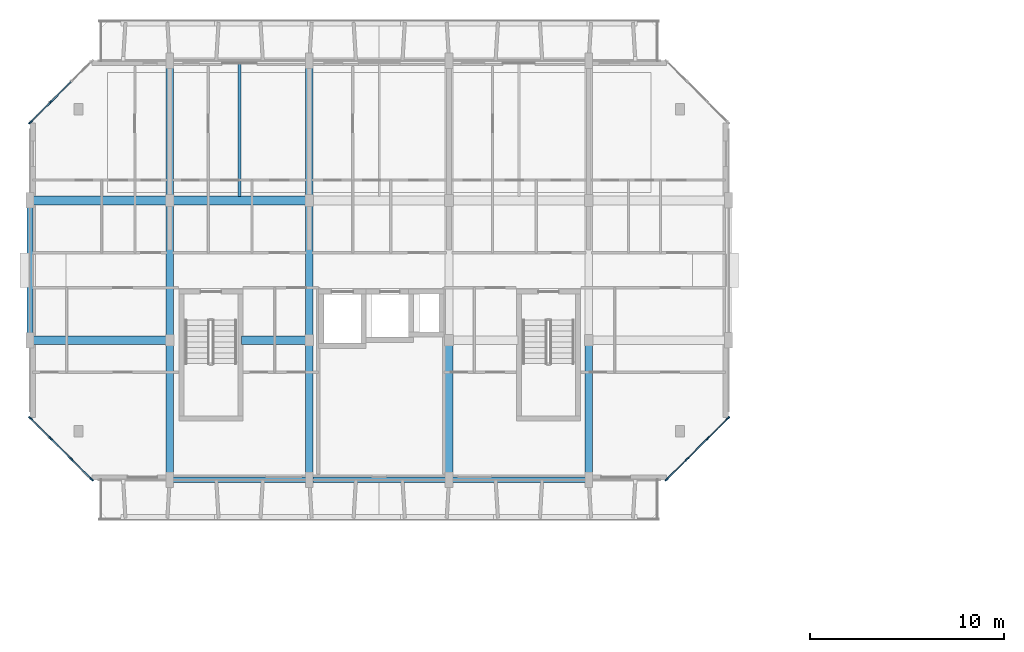
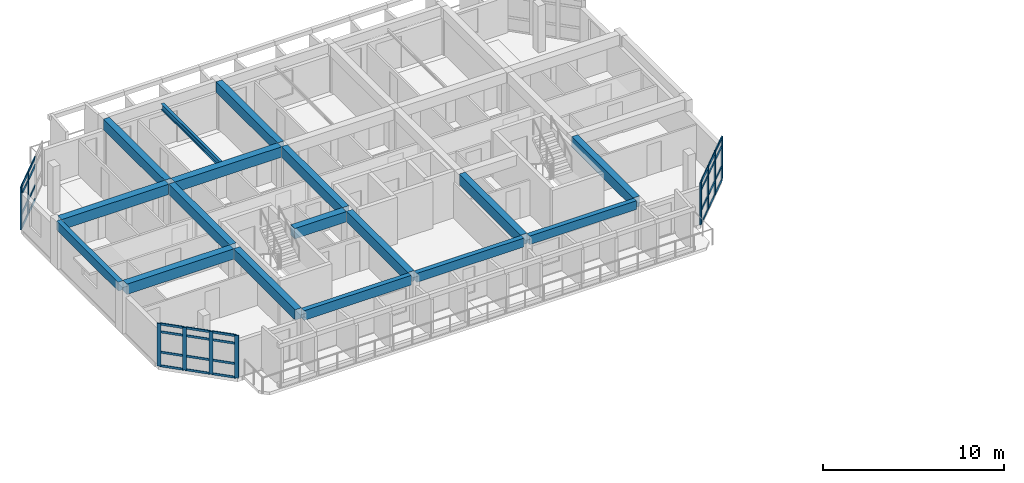
# One storey, part 5 of 44: 42 members, 17 beams, 3 elements without a shape of their own.
"""IFC4 building model written with IfcOpenShell, lengths in metres."""

from ifc_helpers import new_model, si_unit, direction, frame, origin, origin_2d, place, context, subcontext, project, spatial, rectangle, i_section, extrude, material, layer, layer_set, material_profile, profile_set, type_object, element, aggregate, save


model = new_model("IFC4")

# Units and contexts
model_context = context("Model", 3, precision=1e-05, world=origin(), true_north=direction((0.0, 1.0)))
body_context = subcontext(model_context, "Body", "Model", "MODEL_VIEW")
ifc_project = project(units=[si_unit("LENGTHUNIT", "METRE"), si_unit("AREAUNIT", "SQUARE_METRE"), si_unit("VOLUMEUNIT", "CUBIC_METRE"), si_unit("PLANEANGLEUNIT", "RADIAN"), si_unit("MASSUNIT", "GRAM", prefix="KILO")], contexts=[model_context])

# Site, building, storey
site_placement = place(None, origin())
site = spatial("IfcSite", under=ifc_project, at=site_placement, CompositionType="ELEMENT")
building_placement = place(site_placement, origin())
building = spatial("IfcBuilding", under=site, at=building_placement, Name="Ochrevale Crest", CompositionType="ELEMENT")
storey_placement = place(building_placement, frame((0.0, 0.0, 21.300048828125)))
storey = spatial("IfcBuildingStorey", under=building, at=storey_placement, Name="L06", CompositionType="ELEMENT", Elevation=21.300048828125)

# Beams
ifc_material_1 = material(Name="Precast concrete C50/60", Category="concrete")
ifc_material_profile_1 = material_profile(ifc_material_1, rectangle(XDim=0.39990234375, YDim=0.699951171875, at=origin_2d()), Name="PC 400x700")
ifc_profile_set_1 = profile_set([ifc_material_profile_1], Name="Precast concrete C50/60")
beam_type_1 = type_object("IfcBeamType", Name="BM-PC400x700", PredefinedType="BEAM", material=ifc_profile_set_1)
beam_1_placement = place(storey_placement, frame((7.199951171875, 72.179931640625, 2.800048828125), z_axis=(0.0, 1.0, 0.0), x_axis=(-1.0, 0.0, 0.0)))
element("IfcBeam", 1, at=beam_1_placement, inside=storey, type_object=beam_type_1, Name="Block B L06 N-S beam X=7.2", PredefinedType="BEAM", context=body_context, shape_type="SweptSolid", body=[
    extrude(rectangle(XDim=0.39990234375, YDim=0.699951171875, at=origin_2d()), origin(), (0.0, 0.0, 1.0), 6.815185546875),
])
beam_2_placement = place(storey_placement, frame((7.199951171875, 79.405029296875, 2.800048828125), z_axis=(0.0, 1.0, 0.0), x_axis=(-1.0, 0.0, 0.0)))
element("IfcBeam", 2, at=beam_2_placement, inside=storey, type_object=beam_type_1, Name="Block B L06 N-S beam X=7.2", PredefinedType="BEAM", context=body_context, shape_type="SweptSolid", body=[
    extrude(rectangle(XDim=0.39990234375, YDim=0.699951171875, at=origin_2d()), origin(), (0.0, 0.0, 1.0), 6.7900390625),
])
beam_3_placement = place(storey_placement, frame((7.199951171875, 86.60498046875, 2.800048828125), z_axis=(0.0, 1.0, 0.0), x_axis=(-1.0, 0.0, 0.0)))
element("IfcBeam", 3, at=beam_3_placement, inside=storey, type_object=beam_type_1, Name="Block B L06 N-S beam X=7.2", PredefinedType="BEAM", context=body_context, shape_type="SweptSolid", body=[
    extrude(rectangle(XDim=0.39990234375, YDim=0.699951171875, at=origin_2d()), origin(), (0.0, 0.0, 1.0), 6.81494140625),
])
beam_4_placement = place(storey_placement, frame((14.39990234375, 72.179931640625, 2.800048828125), z_axis=(0.0, 1.0, 0.0), x_axis=(-1.0, 0.0, 0.0)))
element("IfcBeam", 4, at=beam_4_placement, inside=storey, type_object=beam_type_1, Name="Block B L06 N-S beam X=14.4", PredefinedType="BEAM", context=body_context, shape_type="SweptSolid", body=[
    extrude(rectangle(XDim=0.39990234375, YDim=0.699951171875, at=origin_2d()), origin(), (0.0, 0.0, 1.0), 6.815185546875),
])
beam_5_placement = place(storey_placement, frame((14.39990234375, 79.405029296875, 2.800048828125), z_axis=(0.0, 1.0, 0.0), x_axis=(-1.0, 0.0, 0.0)))
element("IfcBeam", 5, at=beam_5_placement, inside=storey, type_object=beam_type_1, Name="Block B L06 N-S beam X=14.4", PredefinedType="BEAM", context=body_context, shape_type="SweptSolid", body=[
    extrude(rectangle(XDim=0.39990234375, YDim=0.699951171875, at=origin_2d()), origin(), (0.0, 0.0, 1.0), 6.7900390625),
])
beam_6_placement = place(storey_placement, frame((14.39990234375, 86.60498046875, 2.800048828125), z_axis=(0.0, 1.0, 0.0), x_axis=(-1.0, 0.0, 0.0)))
element("IfcBeam", 6, at=beam_6_placement, inside=storey, type_object=beam_type_1, Name="Block B L06 N-S beam X=14.4", PredefinedType="BEAM", context=body_context, shape_type="SweptSolid", body=[
    extrude(rectangle(XDim=0.39990234375, YDim=0.699951171875, at=origin_2d()), origin(), (0.0, 0.0, 1.0), 6.81494140625),
])
for number, where, z_axis, x_axis, name in (
    (7, (21.60009765625, 72.179931640625, 2.800048828125), (0.0, 1.0, 0.0), (-1.0, 0.0, 0.0), "Block B L06 N-S beam X=21.6"),
    (8, (28.800048828125, 72.179931640625, 2.800048828125), (0.0, 1.0, 0.0), (-1.0, 0.0, 0.0), "Block B L06 N-S beam X=28.8"),
):
    element("IfcBeam", number, at=place(storey_placement, frame(where, z_axis=z_axis, x_axis=x_axis)), inside=storey, type_object=beam_type_1, Name=name, PredefinedType="BEAM", context=body_context, shape_type="SweptSolid", body=[
        extrude(rectangle(XDim=0.39990234375, YDim=0.699951171875, at=origin_2d()), origin(), (0.0, 0.0, 1.0), 6.815185546875),
    ])
ifc_material_2 = material(Name="Concrete C50/60", Category="concrete")
ifc_material_profile_2 = material_profile(ifc_material_2, rectangle(XDim=0.449951171875, YDim=0.699951171875, at=origin_2d()), Name="RC 450x700")
ifc_profile_set_2 = profile_set([ifc_material_profile_2], Name="Concrete C50/60")
beam_type_2 = type_object("IfcBeamType", Name="BM-PG450x700", PredefinedType="USERDEFINED", material=ifc_profile_set_2)
beam_7_placement = place(storey_placement, frame((0.175048828125, 79.199951171875, 2.800048828125), z_axis=(1.0, 0.0, 0.0), x_axis=(0.0, 1.0, 0.0)))
element("IfcBeam", 9, at=beam_7_placement, inside=storey, type_object=beam_type_2, Name="Block B L06 E-W beam Y=79.2", ObjectType="GIRDER", PredefinedType="USERDEFINED", context=body_context, shape_type="SweptSolid", body=[
    extrude(rectangle(XDim=0.449951171875, YDim=0.699951171875, at=origin_2d()), origin(), (0.0, 0.0, 1.0), 6.824951171875),
])
beam_8_placement = place(storey_placement, frame((10.889892578125, 79.199951171875, 2.800048828125), z_axis=(1.0, 0.0, 0.0), x_axis=(0.0, 1.0, 0.0)))
element("IfcBeam", 10, at=beam_8_placement, inside=storey, type_object=beam_type_2, Name="Block B L06 E-W beam Y=79.2", ObjectType="GIRDER", PredefinedType="USERDEFINED", context=body_context, shape_type="SweptSolid", body=[
    extrude(rectangle(XDim=0.449951171875, YDim=0.699951171875, at=origin_2d()), origin(), (0.0, 0.0, 1.0), 3.31005859375),
])
beam_9_placement = place(storey_placement, frame((0.175048828125, 86.39990234375, 2.800048828125), z_axis=(1.0, 0.0, 0.0), x_axis=(0.0, 1.0, 0.0)))
element("IfcBeam", 11, at=beam_9_placement, inside=storey, type_object=beam_type_2, Name="Block B L06 E-W beam Y=86.4", ObjectType="GIRDER", PredefinedType="USERDEFINED", context=body_context, shape_type="SweptSolid", body=[
    extrude(rectangle(XDim=0.449951171875, YDim=0.699951171875, at=origin_2d()), origin(), (0.0, 0.0, 1.0), 6.824951171875),
])
beam_10_placement = place(storey_placement, frame((7.39990234375, 86.39990234375, 2.800048828125), z_axis=(1.0, 0.0, 0.0), x_axis=(0.0, 1.0, 0.0)))
element("IfcBeam", 12, at=beam_10_placement, inside=storey, type_object=beam_type_2, Name="Block B L06 E-W beam Y=86.4", ObjectType="GIRDER", PredefinedType="USERDEFINED", context=body_context, shape_type="SweptSolid", body=[
    extrude(rectangle(XDim=0.449951171875, YDim=0.699951171875, at=origin_2d()), origin(), (0.0, 0.0, 1.0), 6.800048828125),
])
ifc_material_3 = material(Name="Precast concrete C40/50", Category="concrete")
ifc_material_profile_3 = material_profile(ifc_material_3, rectangle(XDim=0.300048828125, YDim=0.580078125, at=origin_2d()), Name="PC 300x580")
ifc_profile_set_3 = profile_set([ifc_material_profile_3], Name="Precast concrete C40/50")
beam_type_3 = type_object("IfcBeamType", Name="BM-SP300x580", PredefinedType="SPANDREL", material=ifc_profile_set_3)
beam_11_placement = place(storey_placement, frame((21.77490234375, 72.0, 2.85986328125), z_axis=(1.0, 0.0, 0.0), x_axis=(0.0, 1.0, 0.0)))
element("IfcBeam", 13, at=beam_11_placement, inside=storey, type_object=beam_type_3, Name="Block B L06 E-W beam Y=72.0", PredefinedType="SPANDREL", context=body_context, shape_type="SweptSolid", body=[
    extrude(rectangle(XDim=0.300048828125, YDim=0.580078125, at=origin_2d()), origin(), (0.0, 0.0, 1.0), 6.85009765625),
])
ifc_material_profile_4 = material_profile(ifc_material_3, rectangle(XDim=0.300048828125, YDim=0.60009765625, at=origin_2d()), Name="PC 300x600")
ifc_profile_set_4 = profile_set([ifc_material_profile_4], Name="Precast concrete C40/50")
beam_type_4 = type_object("IfcBeamType", Name="BM-SP300x600", PredefinedType="SPANDREL", material=ifc_profile_set_4)
beam_12_placement = place(storey_placement, frame((14.574951171875, 72.0, 2.849853515625), z_axis=(1.0, 0.0, 0.0), x_axis=(0.0, 1.0, 0.0)))
element("IfcBeam", 14, at=beam_12_placement, inside=storey, type_object=beam_type_4, Name="Block B L06 E-W beam Y=72.0", PredefinedType="SPANDREL", context=body_context, shape_type="SweptSolid", body=[
    extrude(rectangle(XDim=0.300048828125, YDim=0.60009765625, at=origin_2d()), origin(), (0.0, 0.0, 1.0), 6.85009765625),
])
beam_13_placement = place(storey_placement, frame((0.0, 79.3798828125, 2.849853515625), z_axis=(0.0, 1.0, 0.0), x_axis=(-1.0, 0.0, 0.0)))
element("IfcBeam", 15, at=beam_13_placement, inside=storey, type_object=beam_type_4, Name="Block B L06 N-S beam X=0.0", PredefinedType="SPANDREL", context=body_context, shape_type="SweptSolid", body=[
    extrude(rectangle(XDim=0.300048828125, YDim=0.60009765625, at=origin_2d()), origin(), (0.0, 0.0, 1.0), 6.840087890625),
])
ifc_material_profile_5 = material_profile(ifc_material_3, rectangle(XDim=0.300048828125, YDim=0.64990234375, at=origin_2d()), Name="PC 300x650")
ifc_profile_set_5 = profile_set([ifc_material_profile_5], Name="Precast concrete C40/50")
beam_type_5 = type_object("IfcBeamType", Name="BM-SP300x650", PredefinedType="SPANDREL", material=ifc_profile_set_5)
beam_14_placement = place(storey_placement, frame((7.375, 72.0, 2.824951171875), z_axis=(1.0, 0.0, 0.0), x_axis=(0.0, 1.0, 0.0)))
element("IfcBeam", 16, at=beam_14_placement, inside=storey, type_object=beam_type_5, Name="Block B L06 E-W beam Y=72.0", PredefinedType="SPANDREL", context=body_context, shape_type="SweptSolid", body=[
    extrude(rectangle(XDim=0.300048828125, YDim=0.64990234375, at=origin_2d()), origin(), (0.0, 0.0, 1.0), 6.85009765625),
])
ifc_material_4 = material(Name="Steel S355", Category="steel")
ifc_material_profile_6 = material_profile(ifc_material_4, i_section(OverallWidth=0.177734375, OverallDepth=0.402587890625, WebThickness=0.007568359375, FlangeThickness=0.010986328125, FilletRadius=0.011474609375, at=origin_2d()), Name="410UB53.7")
ifc_profile_set_6 = profile_set([ifc_material_profile_6], Name="Steel S355")
beam_type_6 = type_object("IfcBeamType", Name="BM-UB410A", PredefinedType="BEAM", material=ifc_profile_set_6)
beam_15_placement = place(storey_placement, frame((10.800048828125, 86.613037109375, 2.673583984375), z_axis=(0.0, 1.0, 0.0), x_axis=(-1.0, 0.0, 0.0)))
element("IfcBeam", 17, at=beam_15_placement, inside=storey, type_object=beam_type_6, Name="Block B L06 composite plank trimmer beam 2", PredefinedType="BEAM", context=body_context, shape_type="SweptSolid", body=[
    extrude(i_section(OverallWidth=0.177734375, OverallDepth=0.402587890625, WebThickness=0.007568359375, FlangeThickness=0.010986328125, FilletRadius=0.011474609375, at=origin_2d()), origin(), (0.0, 0.0, 1.0), 6.848876953125),
])

# Curtain wall, members
ifc_material_5 = material(Name="Anodised aluminium 6063-T5", Category="aluminium")
ifc_layer_1 = layer(ifc_material_5, 0.14990234375)
ifc_layer_set_1 = layer_set([ifc_layer_1], Name="Anodised aluminium 6063-T5")
curtain_wall_type_1 = type_object("IfcCurtainWallType", Name="CW-WG-360x285", PredefinedType="NOTDEFINED", material=ifc_layer_set_1)
curtain_wall_1_placement = place(storey_placement, origin())
curtain_wall_1 = element("IfcCurtainWall", 18, at=curtain_wall_1_placement, inside=storey, type_object=curtain_wall_type_1, Name="Block B L06 chamfered corner wintergarden curtain wall 2", PredefinedType="NOTDEFINED")
ifc_material_profile_7 = material_profile(ifc_material_5, rectangle(XDim=0.074951171875, YDim=0.219970703125, at=origin_2d()), Name="ALU 75x220")
ifc_profile_set_7 = profile_set([ifc_material_profile_7], Name="Anodised aluminium 6063-T5")
member_type_1 = type_object("IfcMemberType", Name="CW-MUL-75x220", PredefinedType="MULLION", material=ifc_profile_set_7)
member_1_placement = place(storey_placement, frame((32.826416015625, 72.026611328125, 0.0), z_axis=(0.0, 0.0, 1.0), x_axis=(-0.707106781187, 0.707106781187, 0.0)))
member_1 = element("IfcMember", 19, at=member_1_placement, type_object=member_type_1, Name="CW18 mullion 1", PredefinedType="MULLION", context=body_context, shape_type="SweptSolid", body=[
    extrude(rectangle(XDim=0.074951171875, YDim=0.219970703125, at=origin_2d()), origin(), (0.0, 0.0, 1.0), 2.875),
])
member_2_placement = place(storey_placement, frame((33.86669921875, 73.066650390625, 0.0), z_axis=(0.0, 0.0, 1.0), x_axis=(-0.707106781187, 0.707106781187, 0.0)))
member_2 = element("IfcMember", 20, at=member_2_placement, type_object=member_type_1, Name="CW18 mullion 2", PredefinedType="MULLION", context=body_context, shape_type="SweptSolid", body=[
    extrude(rectangle(XDim=0.074951171875, YDim=0.219970703125, at=origin_2d()), origin(), (0.0, 0.0, 1.0), 2.875),
])
member_3_placement = place(storey_placement, frame((34.933349609375, 74.13330078125, 0.0), z_axis=(0.0, 0.0, 1.0), x_axis=(-0.707106781187, 0.707106781187, 0.0)))
member_3 = element("IfcMember", 21, at=member_3_placement, type_object=member_type_1, Name="CW18 mullion 3", PredefinedType="MULLION", context=body_context, shape_type="SweptSolid", body=[
    extrude(rectangle(XDim=0.074951171875, YDim=0.219970703125, at=origin_2d()), origin(), (0.0, 0.0, 1.0), 2.875),
])
member_4_placement = place(storey_placement, frame((35.973388671875, 75.173583984375, 0.0), z_axis=(0.0, 0.0, 1.0), x_axis=(-0.707106781187, 0.707106781187, 0.0)))
member_4 = element("IfcMember", 22, at=member_4_placement, type_object=member_type_1, Name="CW18 mullion 4", PredefinedType="MULLION", context=body_context, shape_type="SweptSolid", body=[
    extrude(rectangle(XDim=0.074951171875, YDim=0.219970703125, at=origin_2d()), origin(), (0.0, 0.0, 1.0), 2.875),
])

ifc_layer_2 = layer(ifc_material_5, 0.14990234375)
ifc_layer_set_2 = layer_set([ifc_layer_2], Name="Anodised aluminium 6063-T5")
curtain_wall_type_2 = type_object("IfcCurtainWallType", Name="CW-WG-320x285", PredefinedType="NOTDEFINED", material=ifc_layer_set_2)
curtain_wall_2_placement = place(storey_placement, origin())
curtain_wall_2 = element("IfcCurtainWall", 23, at=curtain_wall_2_placement, inside=storey, type_object=curtain_wall_type_2, Name="Block B L06 chamfered corner wintergarden curtain wall 6", PredefinedType="NOTDEFINED")
member_5_placement = place(storey_placement, frame((1.066650390625, 91.466552734375, 0.0), z_axis=(0.0, 0.0, 1.0), x_axis=(0.707106781187, -0.707106781187, 0.0)))
member_5 = element("IfcMember", 24, at=member_5_placement, type_object=member_type_1, Name="CW17 mullion 3", PredefinedType="MULLION", context=body_context, shape_type="SweptSolid", body=[
    extrude(rectangle(XDim=0.074951171875, YDim=0.219970703125, at=origin_2d()), origin(), (0.0, 0.0, 1.0), 2.875),
])
member_6_placement = place(storey_placement, frame((0.026611328125, 90.426513671875, 0.0), z_axis=(0.0, 0.0, 1.0), x_axis=(0.707106781187, -0.707106781187, 0.0)))
member_6 = element("IfcMember", 25, at=member_6_placement, type_object=member_type_1, Name="CW17 mullion 4", PredefinedType="MULLION", context=body_context, shape_type="SweptSolid", body=[
    extrude(rectangle(XDim=0.074951171875, YDim=0.219970703125, at=origin_2d()), origin(), (0.0, 0.0, 1.0), 2.875),
])

ifc_layer_3 = layer(ifc_material_5, 0.14990234375)
ifc_layer_set_3 = layer_set([ifc_layer_3], Name="Anodised aluminium 6063-T5")
curtain_wall_type_3 = type_object("IfcCurtainWallType", Name="CW-WG-420x285", PredefinedType="NOTDEFINED", material=ifc_layer_set_3)
curtain_wall_3_placement = place(storey_placement, origin())
curtain_wall_3 = element("IfcCurtainWall", 26, at=curtain_wall_3_placement, inside=storey, type_object=curtain_wall_type_3, Name="Block B L06 chamfered corner wintergarden curtain wall 8", PredefinedType="NOTDEFINED")
member_7_placement = place(storey_placement, frame((0.026611328125, 75.173583984375, 0.0), z_axis=(0.0, 0.0, 1.0), x_axis=(0.707106781187, 0.707106781187, 0.0)))
member_7 = element("IfcMember", 27, at=member_7_placement, type_object=member_type_1, Name="CW22 mullion 1", PredefinedType="MULLION", context=body_context, shape_type="SweptSolid", body=[
    extrude(rectangle(XDim=0.074951171875, YDim=0.219970703125, at=origin_2d()), origin(), (0.0, 0.0, 1.0), 2.875),
])
member_8_placement = place(storey_placement, frame((1.066650390625, 74.13330078125, 0.0), z_axis=(0.0, 0.0, 1.0), x_axis=(0.707106781187, 0.707106781187, 0.0)))
member_8 = element("IfcMember", 28, at=member_8_placement, type_object=member_type_1, Name="CW22 mullion 2", PredefinedType="MULLION", context=body_context, shape_type="SweptSolid", body=[
    extrude(rectangle(XDim=0.074951171875, YDim=0.219970703125, at=origin_2d()), origin(), (0.0, 0.0, 1.0), 2.875),
])
member_9_placement = place(storey_placement, frame((2.13330078125, 73.066650390625, 0.0), z_axis=(0.0, 0.0, 1.0), x_axis=(0.707106781187, 0.707106781187, 0.0)))
member_9 = element("IfcMember", 29, at=member_9_placement, type_object=member_type_1, Name="CW22 mullion 3", PredefinedType="MULLION", context=body_context, shape_type="SweptSolid", body=[
    extrude(rectangle(XDim=0.074951171875, YDim=0.219970703125, at=origin_2d()), origin(), (0.0, 0.0, 1.0), 2.875),
])
member_10_placement = place(storey_placement, frame((3.173583984375, 72.026611328125, 0.0), z_axis=(0.0, 0.0, 1.0), x_axis=(0.707106781187, 0.707106781187, 0.0)))
member_10 = element("IfcMember", 30, at=member_10_placement, type_object=member_type_1, Name="CW22 mullion 4", PredefinedType="MULLION", context=body_context, shape_type="SweptSolid", body=[
    extrude(rectangle(XDim=0.074951171875, YDim=0.219970703125, at=origin_2d()), origin(), (0.0, 0.0, 1.0), 2.875),
])

# Member
ifc_material_profile_8 = material_profile(ifc_material_5, rectangle(XDim=0.06005859375, YDim=0.14990234375, at=origin_2d()), Name="ALU 60x150")
ifc_profile_set_8 = profile_set([ifc_material_profile_8], Name="Anodised aluminium 6063-T5")
member_type_2 = type_object("IfcMemberType", Name="CW-TRN-60x150", PredefinedType="USERDEFINED", material=ifc_profile_set_8)
member_11_placement = place(storey_placement, frame((32.85302734375, 72.052978515625, 0.030029296875), z_axis=(0.707106781187, 0.707106781187, 0.0), x_axis=(-0.707106781187, 0.707106781187, 0.0)))
member_11 = element("IfcMember", 31, at=member_11_placement, type_object=member_type_2, Name="CW18 transom 1.1", ObjectType="TRANSOM", PredefinedType="USERDEFINED", context=body_context, shape_type="SweptSolid", body=[
    extrude(rectangle(XDim=0.06005859375, YDim=0.14990234375, at=origin_2d()), origin(), (0.0, 0.0, 1.0), 1.39599609375),
])

member_12_placement = place(storey_placement, frame((32.85302734375, 72.052978515625, 0.949951171875), z_axis=(0.707106781187, 0.707106781187, 0.0), x_axis=(-0.707106781187, 0.707106781187, 0.0)))
member_12 = element("IfcMember", 32, at=member_12_placement, type_object=member_type_2, Name="CW18 transom 1.2", ObjectType="TRANSOM", PredefinedType="USERDEFINED", context=body_context, shape_type="SweptSolid", body=[
    extrude(rectangle(XDim=0.06005859375, YDim=0.14990234375, at=origin_2d()), origin(), (0.0, 0.0, 1.0), 1.39599609375),
])

member_13_placement = place(storey_placement, frame((32.85302734375, 72.052978515625, 2.324951171875), z_axis=(0.707106781187, 0.707106781187, 0.0), x_axis=(-0.707106781187, 0.707106781187, 0.0)))
member_13 = element("IfcMember", 33, at=member_13_placement, type_object=member_type_2, Name="CW18 transom 1.3", ObjectType="TRANSOM", PredefinedType="USERDEFINED", context=body_context, shape_type="SweptSolid", body=[
    extrude(rectangle(XDim=0.06005859375, YDim=0.14990234375, at=origin_2d()), origin(), (0.0, 0.0, 1.0), 1.39599609375),
])

member_14_placement = place(storey_placement, frame((32.85302734375, 72.052978515625, 2.844970703125), z_axis=(0.707106781187, 0.707106781187, 0.0), x_axis=(-0.707106781187, 0.707106781187, 0.0)))
member_14 = element("IfcMember", 34, at=member_14_placement, type_object=member_type_2, Name="CW18 transom 1.4", ObjectType="TRANSOM", PredefinedType="USERDEFINED", context=body_context, shape_type="SweptSolid", body=[
    extrude(rectangle(XDim=0.06005859375, YDim=0.14990234375, at=origin_2d()), origin(), (0.0, 0.0, 1.0), 1.39599609375),
])

member_15_placement = place(storey_placement, frame((33.89306640625, 73.09326171875, 0.030029296875), z_axis=(0.707106781187, 0.707106781187, 0.0), x_axis=(-0.707106781187, 0.707106781187, 0.0)))
member_15 = element("IfcMember", 35, at=member_15_placement, type_object=member_type_2, Name="CW18 transom 2.1", ObjectType="TRANSOM", PredefinedType="USERDEFINED", context=body_context, shape_type="SweptSolid", body=[
    extrude(rectangle(XDim=0.06005859375, YDim=0.14990234375, at=origin_2d()), origin(), (0.0, 0.0, 1.0), 1.43359375),
])

member_16_placement = place(storey_placement, frame((33.89306640625, 73.09326171875, 0.949951171875), z_axis=(0.707106781187, 0.707106781187, 0.0), x_axis=(-0.707106781187, 0.707106781187, 0.0)))
member_16 = element("IfcMember", 36, at=member_16_placement, type_object=member_type_2, Name="CW18 transom 2.2", ObjectType="TRANSOM", PredefinedType="USERDEFINED", context=body_context, shape_type="SweptSolid", body=[
    extrude(rectangle(XDim=0.06005859375, YDim=0.14990234375, at=origin_2d()), origin(), (0.0, 0.0, 1.0), 1.43359375),
])

member_17_placement = place(storey_placement, frame((33.89306640625, 73.09326171875, 2.324951171875), z_axis=(0.707106781187, 0.707106781187, 0.0), x_axis=(-0.707106781187, 0.707106781187, 0.0)))
member_17 = element("IfcMember", 37, at=member_17_placement, type_object=member_type_2, Name="CW18 transom 2.3", ObjectType="TRANSOM", PredefinedType="USERDEFINED", context=body_context, shape_type="SweptSolid", body=[
    extrude(rectangle(XDim=0.06005859375, YDim=0.14990234375, at=origin_2d()), origin(), (0.0, 0.0, 1.0), 1.43359375),
])

member_18_placement = place(storey_placement, frame((33.89306640625, 73.09326171875, 2.844970703125), z_axis=(0.707106781187, 0.707106781187, 0.0), x_axis=(-0.707106781187, 0.707106781187, 0.0)))
member_18 = element("IfcMember", 38, at=member_18_placement, type_object=member_type_2, Name="CW18 transom 2.4", ObjectType="TRANSOM", PredefinedType="USERDEFINED", context=body_context, shape_type="SweptSolid", body=[
    extrude(rectangle(XDim=0.06005859375, YDim=0.14990234375, at=origin_2d()), origin(), (0.0, 0.0, 1.0), 1.43359375),
])

member_19_placement = place(storey_placement, frame((34.9599609375, 74.159912109375, 0.030029296875), z_axis=(0.707106781187, 0.707106781187, 0.0), x_axis=(-0.707106781187, 0.707106781187, 0.0)))
member_19 = element("IfcMember", 39, at=member_19_placement, type_object=member_type_2, Name="CW18 transom 3.1", ObjectType="TRANSOM", PredefinedType="USERDEFINED", context=body_context, shape_type="SweptSolid", body=[
    extrude(rectangle(XDim=0.06005859375, YDim=0.14990234375, at=origin_2d()), origin(), (0.0, 0.0, 1.0), 1.39599609375),
])

member_20_placement = place(storey_placement, frame((34.9599609375, 74.159912109375, 0.949951171875), z_axis=(0.707106781187, 0.707106781187, 0.0), x_axis=(-0.707106781187, 0.707106781187, 0.0)))
member_20 = element("IfcMember", 40, at=member_20_placement, type_object=member_type_2, Name="CW18 transom 3.2", ObjectType="TRANSOM", PredefinedType="USERDEFINED", context=body_context, shape_type="SweptSolid", body=[
    extrude(rectangle(XDim=0.06005859375, YDim=0.14990234375, at=origin_2d()), origin(), (0.0, 0.0, 1.0), 1.39599609375),
])

member_21_placement = place(storey_placement, frame((34.9599609375, 74.159912109375, 2.324951171875), z_axis=(0.707106781187, 0.707106781187, 0.0), x_axis=(-0.707106781187, 0.707106781187, 0.0)))
member_21 = element("IfcMember", 41, at=member_21_placement, type_object=member_type_2, Name="CW18 transom 3.3", ObjectType="TRANSOM", PredefinedType="USERDEFINED", context=body_context, shape_type="SweptSolid", body=[
    extrude(rectangle(XDim=0.06005859375, YDim=0.14990234375, at=origin_2d()), origin(), (0.0, 0.0, 1.0), 1.39599609375),
])

member_22_placement = place(storey_placement, frame((34.9599609375, 74.159912109375, 2.844970703125), z_axis=(0.707106781187, 0.707106781187, 0.0), x_axis=(-0.707106781187, 0.707106781187, 0.0)))
member_22 = element("IfcMember", 42, at=member_22_placement, type_object=member_type_2, Name="CW18 transom 3.4", ObjectType="TRANSOM", PredefinedType="USERDEFINED", context=body_context, shape_type="SweptSolid", body=[
    extrude(rectangle(XDim=0.06005859375, YDim=0.14990234375, at=origin_2d()), origin(), (0.0, 0.0, 1.0), 1.39599609375),
])

aggregate(curtain_wall_1, [member_1, member_2, member_3, member_4, member_11, member_12, member_13, member_14, member_15, member_16, member_17, member_18, member_19, member_20, member_21, member_22])

member_23_placement = place(storey_placement, frame((2.10693359375, 92.5068359375, 0.030029296875), z_axis=(-0.707106781187, -0.707106781187, 0.0), x_axis=(0.707106781187, -0.707106781187, 0.0)))
member_23 = element("IfcMember", 43, at=member_23_placement, type_object=member_type_2, Name="CW17 transom 2.1", ObjectType="TRANSOM", PredefinedType="USERDEFINED", context=body_context, shape_type="SweptSolid", body=[
    extrude(rectangle(XDim=0.06005859375, YDim=0.14990234375, at=origin_2d()), origin(), (0.0, 0.0, 1.0), 1.43359375),
])

member_24_placement = place(storey_placement, frame((2.10693359375, 92.5068359375, 0.949951171875), z_axis=(-0.707106781187, -0.707106781187, 0.0), x_axis=(0.707106781187, -0.707106781187, 0.0)))
member_24 = element("IfcMember", 44, at=member_24_placement, type_object=member_type_2, Name="CW17 transom 2.2", ObjectType="TRANSOM", PredefinedType="USERDEFINED", context=body_context, shape_type="SweptSolid", body=[
    extrude(rectangle(XDim=0.06005859375, YDim=0.14990234375, at=origin_2d()), origin(), (0.0, 0.0, 1.0), 1.43359375),
])

member_25_placement = place(storey_placement, frame((2.10693359375, 92.5068359375, 2.324951171875), z_axis=(-0.707106781187, -0.707106781187, 0.0), x_axis=(0.707106781187, -0.707106781187, 0.0)))
member_25 = element("IfcMember", 45, at=member_25_placement, type_object=member_type_2, Name="CW17 transom 2.3", ObjectType="TRANSOM", PredefinedType="USERDEFINED", context=body_context, shape_type="SweptSolid", body=[
    extrude(rectangle(XDim=0.06005859375, YDim=0.14990234375, at=origin_2d()), origin(), (0.0, 0.0, 1.0), 1.43359375),
])

member_26_placement = place(storey_placement, frame((2.10693359375, 92.5068359375, 2.844970703125), z_axis=(-0.707106781187, -0.707106781187, 0.0), x_axis=(0.707106781187, -0.707106781187, 0.0)))
member_26 = element("IfcMember", 46, at=member_26_placement, type_object=member_type_2, Name="CW17 transom 2.4", ObjectType="TRANSOM", PredefinedType="USERDEFINED", context=body_context, shape_type="SweptSolid", body=[
    extrude(rectangle(XDim=0.06005859375, YDim=0.14990234375, at=origin_2d()), origin(), (0.0, 0.0, 1.0), 1.43359375),
])

member_27_placement = place(storey_placement, frame((1.0400390625, 91.440185546875, 0.030029296875), z_axis=(-0.707106781187, -0.707106781187, 0.0), x_axis=(0.707106781187, -0.707106781187, 0.0)))
member_27 = element("IfcMember", 47, at=member_27_placement, type_object=member_type_2, Name="CW17 transom 3.1", ObjectType="TRANSOM", PredefinedType="USERDEFINED", context=body_context, shape_type="SweptSolid", body=[
    extrude(rectangle(XDim=0.06005859375, YDim=0.14990234375, at=origin_2d()), origin(), (0.0, 0.0, 1.0), 1.39599609375),
])

member_28_placement = place(storey_placement, frame((1.0400390625, 91.440185546875, 0.949951171875), z_axis=(-0.707106781187, -0.707106781187, 0.0), x_axis=(0.707106781187, -0.707106781187, 0.0)))
member_28 = element("IfcMember", 48, at=member_28_placement, type_object=member_type_2, Name="CW17 transom 3.2", ObjectType="TRANSOM", PredefinedType="USERDEFINED", context=body_context, shape_type="SweptSolid", body=[
    extrude(rectangle(XDim=0.06005859375, YDim=0.14990234375, at=origin_2d()), origin(), (0.0, 0.0, 1.0), 1.39599609375),
])

member_29_placement = place(storey_placement, frame((1.0400390625, 91.440185546875, 2.324951171875), z_axis=(-0.707106781187, -0.707106781187, 0.0), x_axis=(0.707106781187, -0.707106781187, 0.0)))
member_29 = element("IfcMember", 49, at=member_29_placement, type_object=member_type_2, Name="CW17 transom 3.3", ObjectType="TRANSOM", PredefinedType="USERDEFINED", context=body_context, shape_type="SweptSolid", body=[
    extrude(rectangle(XDim=0.06005859375, YDim=0.14990234375, at=origin_2d()), origin(), (0.0, 0.0, 1.0), 1.39599609375),
])

member_30_placement = place(storey_placement, frame((1.0400390625, 91.440185546875, 2.844970703125), z_axis=(-0.707106781187, -0.707106781187, 0.0), x_axis=(0.707106781187, -0.707106781187, 0.0)))
member_30 = element("IfcMember", 50, at=member_30_placement, type_object=member_type_2, Name="CW17 transom 3.4", ObjectType="TRANSOM", PredefinedType="USERDEFINED", context=body_context, shape_type="SweptSolid", body=[
    extrude(rectangle(XDim=0.06005859375, YDim=0.14990234375, at=origin_2d()), origin(), (0.0, 0.0, 1.0), 1.39599609375),
])

aggregate(curtain_wall_2, [member_5, member_6, member_23, member_24, member_25, member_26, member_27, member_28, member_29, member_30])

member_31_placement = place(storey_placement, frame((0.052978515625, 75.14697265625, 0.030029296875), z_axis=(0.707106781187, -0.707106781187, 0.0), x_axis=(0.707106781187, 0.707106781187, 0.0)))
member_31 = element("IfcMember", 51, at=member_31_placement, type_object=member_type_2, Name="CW22 transom 1.1", ObjectType="TRANSOM", PredefinedType="USERDEFINED", context=body_context, shape_type="SweptSolid", body=[
    extrude(rectangle(XDim=0.06005859375, YDim=0.14990234375, at=origin_2d()), origin(), (0.0, 0.0, 1.0), 1.39599609375),
])

member_32_placement = place(storey_placement, frame((0.052978515625, 75.14697265625, 0.949951171875), z_axis=(0.707106781187, -0.707106781187, 0.0), x_axis=(0.707106781187, 0.707106781187, 0.0)))
member_32 = element("IfcMember", 52, at=member_32_placement, type_object=member_type_2, Name="CW22 transom 1.2", ObjectType="TRANSOM", PredefinedType="USERDEFINED", context=body_context, shape_type="SweptSolid", body=[
    extrude(rectangle(XDim=0.06005859375, YDim=0.14990234375, at=origin_2d()), origin(), (0.0, 0.0, 1.0), 1.39599609375),
])

member_33_placement = place(storey_placement, frame((0.052978515625, 75.14697265625, 2.324951171875), z_axis=(0.707106781187, -0.707106781187, 0.0), x_axis=(0.707106781187, 0.707106781187, 0.0)))
member_33 = element("IfcMember", 53, at=member_33_placement, type_object=member_type_2, Name="CW22 transom 1.3", ObjectType="TRANSOM", PredefinedType="USERDEFINED", context=body_context, shape_type="SweptSolid", body=[
    extrude(rectangle(XDim=0.06005859375, YDim=0.14990234375, at=origin_2d()), origin(), (0.0, 0.0, 1.0), 1.39599609375),
])

member_34_placement = place(storey_placement, frame((0.052978515625, 75.14697265625, 2.844970703125), z_axis=(0.707106781187, -0.707106781187, 0.0), x_axis=(0.707106781187, 0.707106781187, 0.0)))
member_34 = element("IfcMember", 54, at=member_34_placement, type_object=member_type_2, Name="CW22 transom 1.4", ObjectType="TRANSOM", PredefinedType="USERDEFINED", context=body_context, shape_type="SweptSolid", body=[
    extrude(rectangle(XDim=0.06005859375, YDim=0.14990234375, at=origin_2d()), origin(), (0.0, 0.0, 1.0), 1.39599609375),
])

member_35_placement = place(storey_placement, frame((1.09326171875, 74.10693359375, 0.030029296875), z_axis=(0.707106781187, -0.707106781187, 0.0), x_axis=(0.707106781187, 0.707106781187, 0.0)))
member_35 = element("IfcMember", 55, at=member_35_placement, type_object=member_type_2, Name="CW22 transom 2.1", ObjectType="TRANSOM", PredefinedType="USERDEFINED", context=body_context, shape_type="SweptSolid", body=[
    extrude(rectangle(XDim=0.06005859375, YDim=0.14990234375, at=origin_2d()), origin(), (0.0, 0.0, 1.0), 1.43359375),
])

member_36_placement = place(storey_placement, frame((1.09326171875, 74.10693359375, 0.949951171875), z_axis=(0.707106781187, -0.707106781187, 0.0), x_axis=(0.707106781187, 0.707106781187, 0.0)))
member_36 = element("IfcMember", 56, at=member_36_placement, type_object=member_type_2, Name="CW22 transom 2.2", ObjectType="TRANSOM", PredefinedType="USERDEFINED", context=body_context, shape_type="SweptSolid", body=[
    extrude(rectangle(XDim=0.06005859375, YDim=0.14990234375, at=origin_2d()), origin(), (0.0, 0.0, 1.0), 1.43359375),
])

member_37_placement = place(storey_placement, frame((1.09326171875, 74.10693359375, 2.324951171875), z_axis=(0.707106781187, -0.707106781187, 0.0), x_axis=(0.707106781187, 0.707106781187, 0.0)))
member_37 = element("IfcMember", 57, at=member_37_placement, type_object=member_type_2, Name="CW22 transom 2.3", ObjectType="TRANSOM", PredefinedType="USERDEFINED", context=body_context, shape_type="SweptSolid", body=[
    extrude(rectangle(XDim=0.06005859375, YDim=0.14990234375, at=origin_2d()), origin(), (0.0, 0.0, 1.0), 1.43359375),
])

member_38_placement = place(storey_placement, frame((1.09326171875, 74.10693359375, 2.844970703125), z_axis=(0.707106781187, -0.707106781187, 0.0), x_axis=(0.707106781187, 0.707106781187, 0.0)))
member_38 = element("IfcMember", 58, at=member_38_placement, type_object=member_type_2, Name="CW22 transom 2.4", ObjectType="TRANSOM", PredefinedType="USERDEFINED", context=body_context, shape_type="SweptSolid", body=[
    extrude(rectangle(XDim=0.06005859375, YDim=0.14990234375, at=origin_2d()), origin(), (0.0, 0.0, 1.0), 1.43359375),
])

member_39_placement = place(storey_placement, frame((2.159912109375, 73.0400390625, 0.030029296875), z_axis=(0.707106781187, -0.707106781187, 0.0), x_axis=(0.707106781187, 0.707106781187, 0.0)))
member_39 = element("IfcMember", 59, at=member_39_placement, type_object=member_type_2, Name="CW22 transom 3.1", ObjectType="TRANSOM", PredefinedType="USERDEFINED", context=body_context, shape_type="SweptSolid", body=[
    extrude(rectangle(XDim=0.06005859375, YDim=0.14990234375, at=origin_2d()), origin(), (0.0, 0.0, 1.0), 1.39599609375),
])

member_40_placement = place(storey_placement, frame((2.159912109375, 73.0400390625, 0.949951171875), z_axis=(0.707106781187, -0.707106781187, 0.0), x_axis=(0.707106781187, 0.707106781187, 0.0)))
member_40 = element("IfcMember", 60, at=member_40_placement, type_object=member_type_2, Name="CW22 transom 3.2", ObjectType="TRANSOM", PredefinedType="USERDEFINED", context=body_context, shape_type="SweptSolid", body=[
    extrude(rectangle(XDim=0.06005859375, YDim=0.14990234375, at=origin_2d()), origin(), (0.0, 0.0, 1.0), 1.39599609375),
])

member_41_placement = place(storey_placement, frame((2.159912109375, 73.0400390625, 2.324951171875), z_axis=(0.707106781187, -0.707106781187, 0.0), x_axis=(0.707106781187, 0.707106781187, 0.0)))
member_41 = element("IfcMember", 61, at=member_41_placement, type_object=member_type_2, Name="CW22 transom 3.3", ObjectType="TRANSOM", PredefinedType="USERDEFINED", context=body_context, shape_type="SweptSolid", body=[
    extrude(rectangle(XDim=0.06005859375, YDim=0.14990234375, at=origin_2d()), origin(), (0.0, 0.0, 1.0), 1.39599609375),
])

member_42_placement = place(storey_placement, frame((2.159912109375, 73.0400390625, 2.844970703125), z_axis=(0.707106781187, -0.707106781187, 0.0), x_axis=(0.707106781187, 0.707106781187, 0.0)))
member_42 = element("IfcMember", 62, at=member_42_placement, type_object=member_type_2, Name="CW22 transom 3.4", ObjectType="TRANSOM", PredefinedType="USERDEFINED", context=body_context, shape_type="SweptSolid", body=[
    extrude(rectangle(XDim=0.06005859375, YDim=0.14990234375, at=origin_2d()), origin(), (0.0, 0.0, 1.0), 1.39599609375),
])

aggregate(curtain_wall_3, [member_7, member_8, member_9, member_10, member_31, member_32, member_33, member_34, member_35, member_36, member_37, member_38, member_39, member_40, member_41, member_42])

save(model, "model.ifc")
